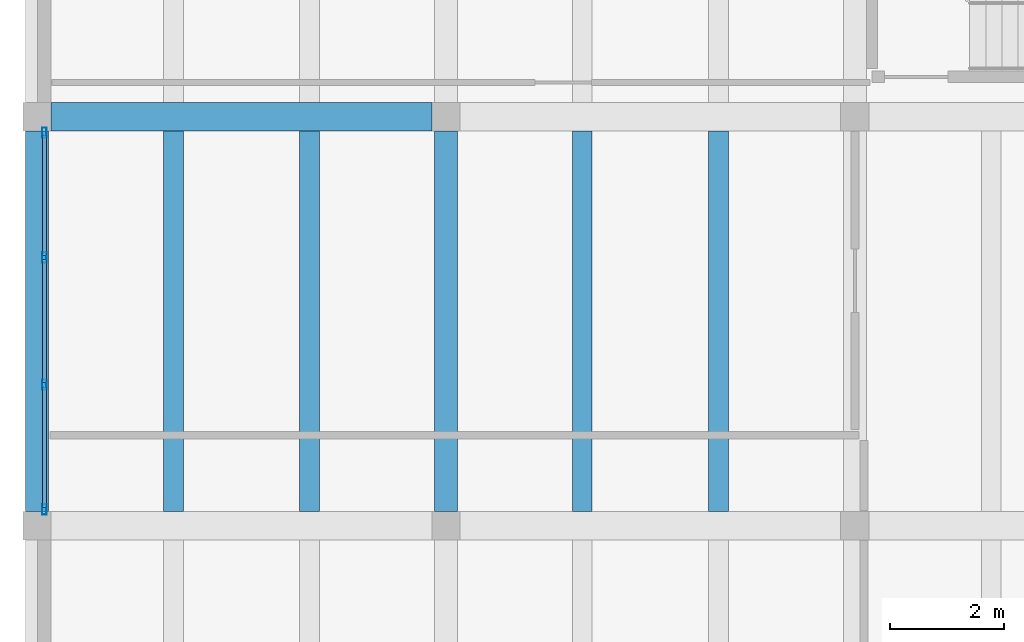
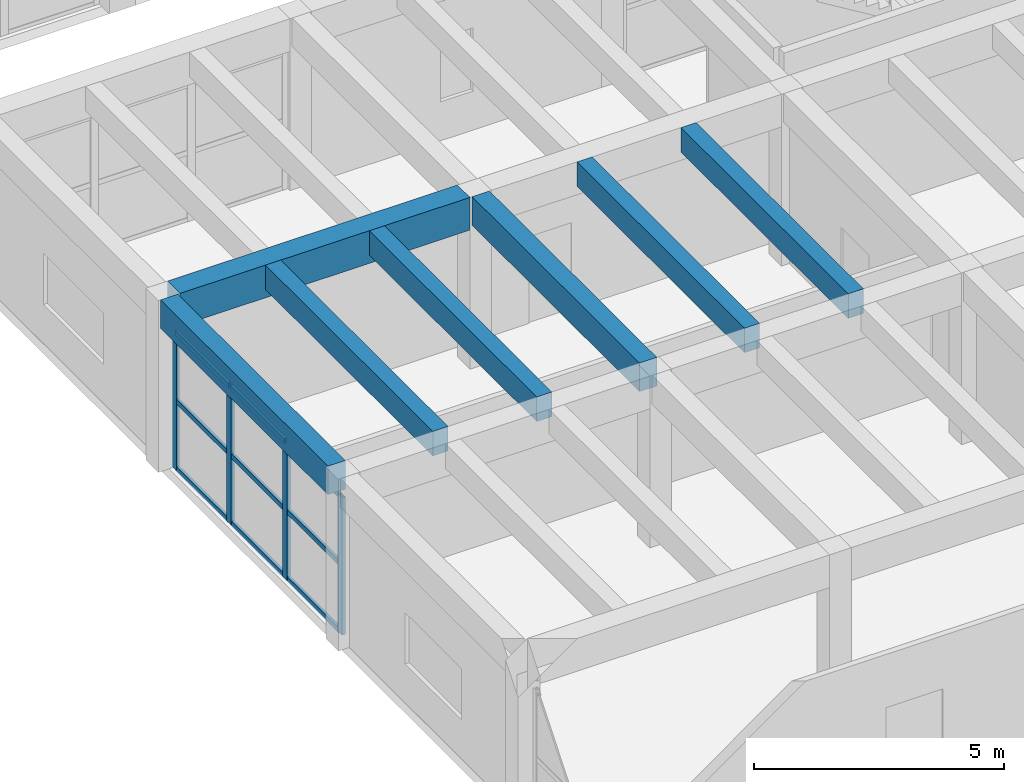
# One storey, part 13 of 153: 13 members, 7 beams, 1 element without a shape of its own.
"""IFC4 building model written with IfcOpenShell, lengths in metres."""

from ifc_helpers import new_model, si_unit, direction, frame, origin, origin_2d, place, context, subcontext, project, spatial, rectangle, hollow_rectangle, extrude, material, material_profile, profile_set, type_object, element, aggregate, save


model = new_model("IFC4")

# Units and contexts
model_context = context("Model", 3, precision=1e-05, world=origin(), true_north=direction((0.0, 1.0)))
body_context = subcontext(model_context, "Body", "Model", "MODEL_VIEW")
ifc_project = project(units=[si_unit("LENGTHUNIT", "METRE"), si_unit("AREAUNIT", "SQUARE_METRE"), si_unit("VOLUMEUNIT", "CUBIC_METRE"), si_unit("PLANEANGLEUNIT", "RADIAN"), si_unit("MASSUNIT", "GRAM", prefix="KILO")], contexts=[model_context])

# Site, building, storey
site_placement = place(None, origin())
site = spatial("IfcSite", under=ifc_project, at=site_placement, CompositionType="ELEMENT")
building_placement = place(site_placement, origin())
building = spatial("IfcBuilding", under=site, at=building_placement, Name="Bramvelor Terrace Health Centre", CompositionType="ELEMENT")
storey_placement = place(building_placement, frame((0.0, 0.0, 4.800048828125)))
storey = spatial("IfcBuildingStorey", under=building, at=storey_placement, Name="L02", CompositionType="ELEMENT", Elevation=4.800048828125)

# Beams
ifc_material_1 = material(Name="Concrete C40/50", Category="concrete")
ifc_material_profile_1 = material_profile(ifc_material_1, rectangle(XDim=0.39990234375, YDim=0.699951171875, at=origin_2d()), Name="RC 400x700")
ifc_profile_set_1 = profile_set([ifc_material_profile_1], Name="Concrete C40/50")
beam_type_1 = type_object("IfcBeamType", Name="BM-RC-G700", PredefinedType="BEAM", material=ifc_profile_set_1)
beam_1_placement = place(storey_placement, frame((7.199951171875, 50.64990234375, 3.849853515625), z_axis=(0.0, 1.0, 0.0), x_axis=(-1.0, 0.0, 0.0)))
element("IfcBeam", 1, at=beam_1_placement, inside=storey, type_object=beam_type_1, Name="L02 Floor Girder", PredefinedType="BEAM", context=body_context, shape_type="SweptSolid", body=[
    extrude(rectangle(XDim=0.39990234375, YDim=0.699951171875, at=origin_2d()), origin(), (0.0, 0.0, 1.0), 6.7001953125),
])
ifc_material_2 = material(Name="Concrete C40/50", Category="concrete")
ifc_material_profile_2 = material_profile(ifc_material_2, rectangle(XDim=0.5, YDim=0.800048828125, at=origin_2d()), Name="RC 500x800")
ifc_profile_set_2 = profile_set([ifc_material_profile_2], Name="Concrete C40/50")
beam_type_2 = type_object("IfcBeamType", Name="BM-RC-G800", PredefinedType="BEAM", material=ifc_profile_set_2)
beam_2_placement = place(storey_placement, frame((0.25, 57.60009765625, 3.800048828125), z_axis=(1.0, 0.0, 0.0), x_axis=(0.0, 1.0, 0.0)))
element("IfcBeam", 2, at=beam_2_placement, inside=storey, type_object=beam_type_2, Name="L02 Floor Girder", PredefinedType="BEAM", context=body_context, shape_type="SweptSolid", body=[
    extrude(rectangle(XDim=0.5, YDim=0.800048828125, at=origin_2d()), origin(), (0.0, 0.0, 1.0), 6.699951171875),
])
ifc_material_3 = material(Name="Concrete C40/50", Category="concrete")
ifc_material_profile_3 = material_profile(ifc_material_3, rectangle(XDim=0.35009765625, YDim=0.60009765625, at=origin_2d()), Name="RC 350x600")
ifc_profile_set_3 = profile_set([ifc_material_profile_3], Name="Concrete C40/50")
beam_type_3 = type_object("IfcBeamType", Name="BM-RC-J600", PredefinedType="JOIST", material=ifc_profile_set_3)
for number, where, z_axis, x_axis, name in (
    (3, (2.39990234375, 50.64990234375, 3.89990234375), (0.0, 1.0, 0.0), (-1.0, 0.0, 0.0), "L02 Secondary Floor Joist"),
    (4, (4.800048828125, 50.64990234375, 3.89990234375), (0.0, 1.0, 0.0), (-1.0, 0.0, 0.0), "L02 Secondary Floor Joist"),
    (5, (9.60009765625, 50.64990234375, 3.89990234375), (0.0, 1.0, 0.0), (-1.0, 0.0, 0.0), "L02 Secondary Floor Joist"),
    (6, (12.0, 50.64990234375, 3.89990234375), (0.0, 1.0, 0.0), (-1.0, 0.0, 0.0), "L02 Secondary Floor Joist"),
):
    element("IfcBeam", number, at=place(storey_placement, frame(where, z_axis=z_axis, x_axis=x_axis)), inside=storey, type_object=beam_type_3, Name=name, PredefinedType="JOIST", context=body_context, shape_type="SweptSolid", body=[
        extrude(rectangle(XDim=0.35009765625, YDim=0.60009765625, at=origin_2d()), origin(), (0.0, 0.0, 1.0), 6.7001953125),
    ])
ifc_material_4 = material(Name="Concrete C40/50", Category="concrete")
ifc_material_profile_4 = material_profile(ifc_material_4, rectangle(XDim=0.39990234375, YDim=0.699951171875, at=origin_2d()), Name="RC 400x700")
ifc_profile_set_4 = profile_set([ifc_material_profile_4], Name="Concrete C40/50")
beam_type_4 = type_object("IfcBeamType", Name="BM-RC-SP700-EXT", PredefinedType="SPANDREL", material=ifc_profile_set_4)
beam_3_placement = place(storey_placement, frame((0.0, 50.64990234375, 3.849853515625), z_axis=(0.0, 1.0, 0.0), x_axis=(-1.0, 0.0, 0.0)))
element("IfcBeam", 7, at=beam_3_placement, inside=storey, type_object=beam_type_4, Name="L02 Floor Girder", PredefinedType="SPANDREL", context=body_context, shape_type="SweptSolid", body=[
    extrude(rectangle(XDim=0.39990234375, YDim=0.699951171875, at=origin_2d()), origin(), (0.0, 0.0, 1.0), 6.7001953125),
])

# Curtain wall, members
ifc_material_5 = material(Name="Anodized aluminium and double low-E glass", Category="aluminium")
curtain_wall_type = type_object("IfcCurtainWallType", Name="CW-SYS-16", PredefinedType="NOTDEFINED", material=ifc_material_5)
curtain_wall_placement = place(storey_placement, origin())
curtain_wall = element("IfcCurtainWall", 8, at=curtain_wall_placement, inside=storey, type_object=curtain_wall_type, Name="L02 Unitized Curtain Wall 127", PredefinedType="NOTDEFINED")
ifc_material_6 = material(Name="Anodized aluminium 6063-T6", Category="aluminium")
ifc_material_profile_5 = material_profile(ifc_material_6, hollow_rectangle(XDim=0.074951171875, YDim=0.179931640625, WallThickness=0.00341796875, at=origin_2d()), Name="ALU-MUL 75x180x3.5")
ifc_profile_set_5 = profile_set([ifc_material_profile_5], Name="Anodized aluminium 6063-T6")
member_type_1 = type_object("IfcMemberType", Name="CW-MUL-65x180", PredefinedType="MULLION", material=ifc_profile_set_5)
member_1_placement = place(storey_placement, frame((0.1298828125, 50.6826171875, 0.0), z_axis=(0.0, 0.0, 1.0), x_axis=(-1.0, 0.0, 0.0)))
member_1 = element("IfcMember", 9, at=member_1_placement, type_object=member_type_1, Name="CW-16 mullion 1", PredefinedType="MULLION", context=body_context, shape_type="SweptSolid", body=[
    extrude(hollow_rectangle(XDim=0.074951171875, YDim=0.179931640625, WallThickness=0.00341796875, at=origin_2d()), origin(), (0.0, 0.0, 1.0), 3.35986328125),
])
member_2_placement = place(storey_placement, frame((0.1298828125, 52.881591796875, 0.0), z_axis=(0.0, 0.0, 1.0), x_axis=(-1.0, 0.0, 0.0)))
member_2 = element("IfcMember", 10, at=member_2_placement, type_object=member_type_1, Name="CW-16 mullion 2", PredefinedType="MULLION", context=body_context, shape_type="SweptSolid", body=[
    extrude(hollow_rectangle(XDim=0.074951171875, YDim=0.179931640625, WallThickness=0.00341796875, at=origin_2d()), origin(), (0.0, 0.0, 1.0), 3.35986328125),
])
member_3_placement = place(storey_placement, frame((0.1298828125, 55.118408203125, 0.0), z_axis=(0.0, 0.0, 1.0), x_axis=(-1.0, 0.0, 0.0)))
member_3 = element("IfcMember", 11, at=member_3_placement, type_object=member_type_1, Name="CW-16 mullion 3", PredefinedType="MULLION", context=body_context, shape_type="SweptSolid", body=[
    extrude(hollow_rectangle(XDim=0.074951171875, YDim=0.179931640625, WallThickness=0.00341796875, at=origin_2d()), origin(), (0.0, 0.0, 1.0), 3.35986328125),
])
member_4_placement = place(storey_placement, frame((0.1298828125, 57.3173828125, 0.0), z_axis=(0.0, 0.0, 1.0), x_axis=(-1.0, 0.0, 0.0)))
member_4 = element("IfcMember", 12, at=member_4_placement, type_object=member_type_1, Name="CW-16 mullion 4", PredefinedType="MULLION", context=body_context, shape_type="SweptSolid", body=[
    extrude(hollow_rectangle(XDim=0.074951171875, YDim=0.179931640625, WallThickness=0.00341796875, at=origin_2d()), origin(), (0.0, 0.0, 1.0), 3.35986328125),
])
ifc_material_7 = material(Name="Anodized aluminium 6063-T6", Category="aluminium")
ifc_material_profile_6 = material_profile(ifc_material_7, hollow_rectangle(XDim=0.06494140625, YDim=0.1201171875, WallThickness=0.0029296875, at=origin_2d()), Name="ALU-TRN 65x120x3.0")
ifc_profile_set_6 = profile_set([ifc_material_profile_6], Name="Anodized aluminium 6063-T6")
member_type_2 = type_object("IfcMemberType", Name="CW-TRN-65x150", PredefinedType="USERDEFINED", material=ifc_profile_set_6)
member_5_placement = place(storey_placement, frame((0.1298828125, 50.719970703125, 0.032470703125), z_axis=(0.0, 1.0, 0.0), x_axis=(-1.0, 0.0, 0.0)))
member_5 = element("IfcMember", 13, at=member_5_placement, type_object=member_type_2, Name="CW-16 transom 1.1", ObjectType="TRANSOM", PredefinedType="USERDEFINED", context=body_context, shape_type="SweptSolid", body=[
    extrude(hollow_rectangle(XDim=0.06494140625, YDim=0.1201171875, WallThickness=0.0029296875, at=origin_2d()), origin(), (0.0, 0.0, 1.0), 2.124267578125),
])
member_6_placement = place(storey_placement, frame((0.1298828125, 50.719970703125, 1.679931640625), z_axis=(0.0, 1.0, 0.0), x_axis=(-1.0, 0.0, 0.0)))
member_6 = element("IfcMember", 14, at=member_6_placement, type_object=member_type_2, Name="CW-16 transom 1.2", ObjectType="TRANSOM", PredefinedType="USERDEFINED", context=body_context, shape_type="SweptSolid", body=[
    extrude(hollow_rectangle(XDim=0.06494140625, YDim=0.1201171875, WallThickness=0.0029296875, at=origin_2d()), origin(), (0.0, 0.0, 1.0), 2.124267578125),
])
member_7_placement = place(storey_placement, frame((0.1298828125, 50.719970703125, 3.327392578125), z_axis=(0.0, 1.0, 0.0), x_axis=(-1.0, 0.0, 0.0)))
member_7 = element("IfcMember", 15, at=member_7_placement, type_object=member_type_2, Name="CW-16 transom 1.3", ObjectType="TRANSOM", PredefinedType="USERDEFINED", context=body_context, shape_type="SweptSolid", body=[
    extrude(hollow_rectangle(XDim=0.06494140625, YDim=0.1201171875, WallThickness=0.0029296875, at=origin_2d()), origin(), (0.0, 0.0, 1.0), 2.124267578125),
])
member_8_placement = place(storey_placement, frame((0.1298828125, 52.919189453125, 0.032470703125), z_axis=(0.0, 1.0, 0.0), x_axis=(-1.0, 0.0, 0.0)))
member_8 = element("IfcMember", 16, at=member_8_placement, type_object=member_type_2, Name="CW-16 transom 2.1", ObjectType="TRANSOM", PredefinedType="USERDEFINED", context=body_context, shape_type="SweptSolid", body=[
    extrude(hollow_rectangle(XDim=0.06494140625, YDim=0.1201171875, WallThickness=0.0029296875, at=origin_2d()), origin(), (0.0, 0.0, 1.0), 2.16162109375),
])
member_9_placement = place(storey_placement, frame((0.1298828125, 52.919189453125, 1.679931640625), z_axis=(0.0, 1.0, 0.0), x_axis=(-1.0, 0.0, 0.0)))
member_9 = element("IfcMember", 17, at=member_9_placement, type_object=member_type_2, Name="CW-16 transom 2.2", ObjectType="TRANSOM", PredefinedType="USERDEFINED", context=body_context, shape_type="SweptSolid", body=[
    extrude(hollow_rectangle(XDim=0.06494140625, YDim=0.1201171875, WallThickness=0.0029296875, at=origin_2d()), origin(), (0.0, 0.0, 1.0), 2.16162109375),
])
member_10_placement = place(storey_placement, frame((0.1298828125, 52.919189453125, 3.327392578125), z_axis=(0.0, 1.0, 0.0), x_axis=(-1.0, 0.0, 0.0)))
member_10 = element("IfcMember", 18, at=member_10_placement, type_object=member_type_2, Name="CW-16 transom 2.3", ObjectType="TRANSOM", PredefinedType="USERDEFINED", context=body_context, shape_type="SweptSolid", body=[
    extrude(hollow_rectangle(XDim=0.06494140625, YDim=0.1201171875, WallThickness=0.0029296875, at=origin_2d()), origin(), (0.0, 0.0, 1.0), 2.16162109375),
])
member_11_placement = place(storey_placement, frame((0.1298828125, 55.15576171875, 0.032470703125), z_axis=(0.0, 1.0, 0.0), x_axis=(-1.0, 0.0, 0.0)))
member_11 = element("IfcMember", 19, at=member_11_placement, type_object=member_type_2, Name="CW-16 transom 3.1", ObjectType="TRANSOM", PredefinedType="USERDEFINED", context=body_context, shape_type="SweptSolid", body=[
    extrude(hollow_rectangle(XDim=0.06494140625, YDim=0.1201171875, WallThickness=0.0029296875, at=origin_2d()), origin(), (0.0, 0.0, 1.0), 2.124267578125),
])
member_12_placement = place(storey_placement, frame((0.1298828125, 55.15576171875, 1.679931640625), z_axis=(0.0, 1.0, 0.0), x_axis=(-1.0, 0.0, 0.0)))
member_12 = element("IfcMember", 20, at=member_12_placement, type_object=member_type_2, Name="CW-16 transom 3.2", ObjectType="TRANSOM", PredefinedType="USERDEFINED", context=body_context, shape_type="SweptSolid", body=[
    extrude(hollow_rectangle(XDim=0.06494140625, YDim=0.1201171875, WallThickness=0.0029296875, at=origin_2d()), origin(), (0.0, 0.0, 1.0), 2.124267578125),
])
member_13_placement = place(storey_placement, frame((0.1298828125, 55.15576171875, 3.327392578125), z_axis=(0.0, 1.0, 0.0), x_axis=(-1.0, 0.0, 0.0)))
member_13 = element("IfcMember", 21, at=member_13_placement, type_object=member_type_2, Name="CW-16 transom 3.3", ObjectType="TRANSOM", PredefinedType="USERDEFINED", context=body_context, shape_type="SweptSolid", body=[
    extrude(hollow_rectangle(XDim=0.06494140625, YDim=0.1201171875, WallThickness=0.0029296875, at=origin_2d()), origin(), (0.0, 0.0, 1.0), 2.124267578125),
])
aggregate(curtain_wall, [member_1, member_2, member_3, member_4, member_5, member_6, member_7, member_8, member_9, member_10, member_11, member_12, member_13])

save(model, "model.ifc")
